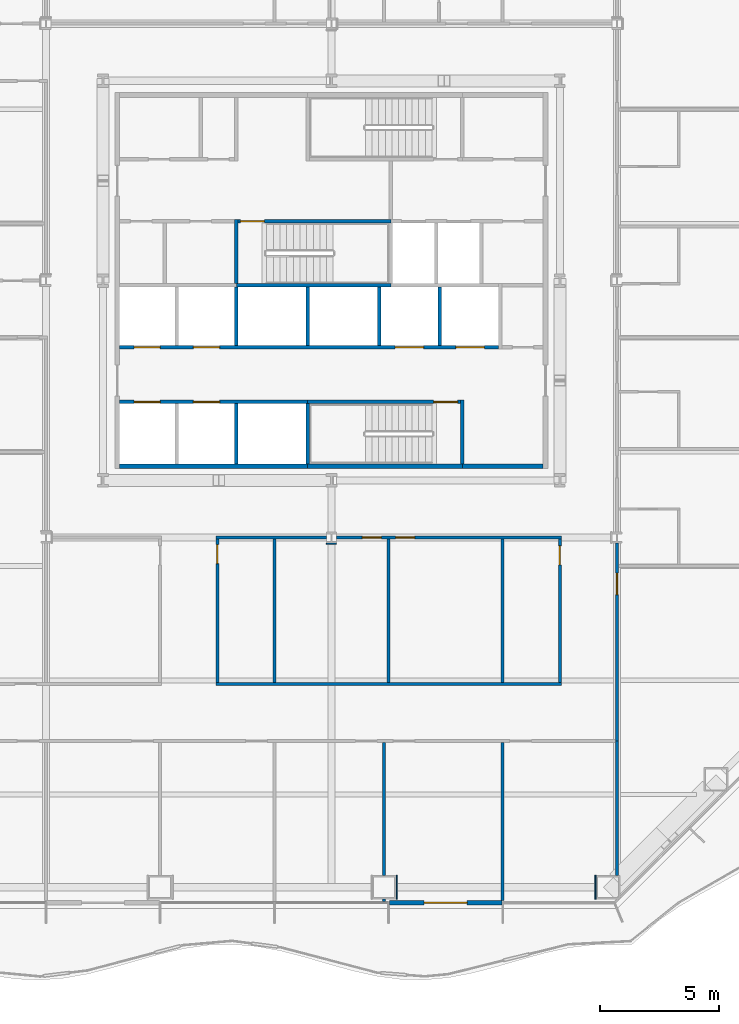
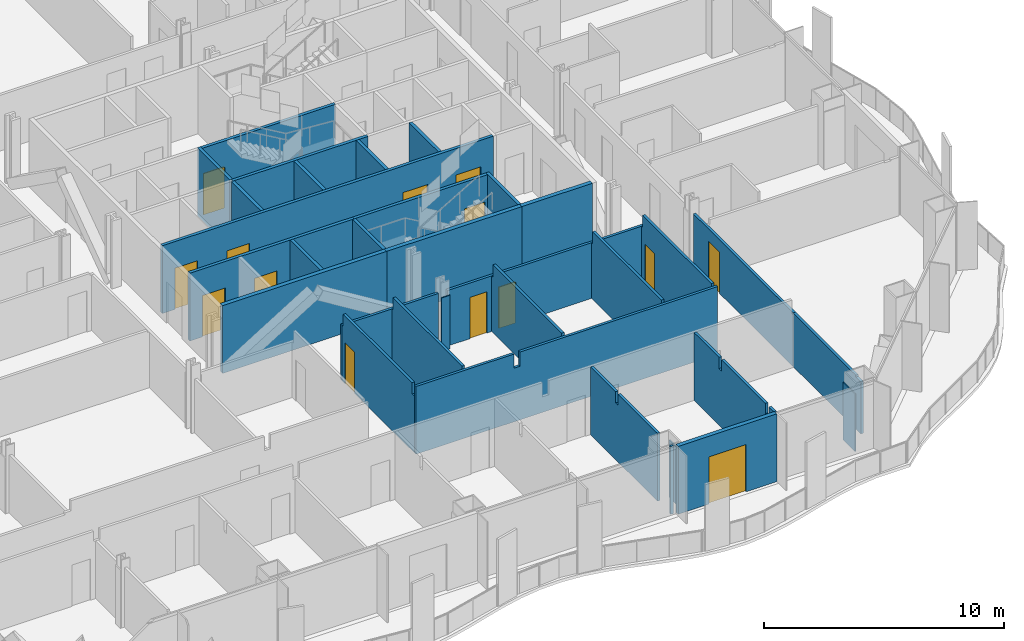
# One storey, part 10 of 21: 33 walls, 14 doors, 14 openings.
"""IFC4 building model written with IfcOpenShell, lengths in metres."""

import ifcopenshell
import ifcopenshell.guid

model = None  # the IFC model being written
_history = None  # IfcOwnerHistory: only IFC2X3 demands one
_inside = {}  # id of a spatial element -> (the spatial element, [elements in it])
_under = {}  # id of a project, library or spatial element -> (it, [spatial elements below it])
_declared = {}  # id of a project -> (the project, [libraries it declares])
_typed = {}  # id of a type object -> (the type object, [elements of that type])
_made_of = {}  # id of a material, layer set ... -> (it, [elements and type objects made of it])


def new_model(schema):
    """Start an empty IFC model of exactly this schema.

    Asked for "IFC4X3", IfcOpenShell would pick the latest addendum, in which some entities
    have other attributes; the version numbers below select the first issue.
    IFC2X3 requires an IfcOwnerHistory on every rooted entity: one is made here for all.
    """
    global model, _history
    if schema == "IFC4X3":
        model = ifcopenshell.file(schema_version=(4, 3, 0, 0))
    else:
        model = ifcopenshell.file(schema=schema)
    _inside.clear()
    _under.clear()
    _declared.clear()
    _typed.clear()
    _made_of.clear()
    _history = None
    if model.schema == "IFC2X3":
        org = make("IfcOrganization", Name="unknown")
        user = make(
            "IfcPersonAndOrganization",
            ThePerson=make("IfcPerson", FamilyName="unknown"),
            TheOrganization=org,
        )
        app = make(
            "IfcApplication",
            ApplicationDeveloper=org,
            Version="unknown",
            ApplicationFullName="unknown",
            ApplicationIdentifier="unknown",
        )
        _history = make(
            "IfcOwnerHistory",
            OwningUser=user,
            OwningApplication=app,
            ChangeAction="ADDED",
            CreationDate=0,
        )
    return model


def make(cls, **values):
    """One entity of the class cls with the attributes given. An attribute that is None is left unset."""
    return model.create_entity(
        cls, **{name: value for name, value in values.items() if value is not None}
    )


def rooted(cls, **values):
    """An entity with a GlobalId (a new one), such as an element, a storey or a relation."""
    return make(cls, GlobalId=ifcopenshell.guid.new(), OwnerHistory=_history, **values)


def si_unit(unit_type, name, prefix=None):
    """IfcSIUnit, for example si_unit("LENGTHUNIT", "METRE", prefix="MILLI")."""
    return make("IfcSIUnit", UnitType=unit_type, Prefix=prefix, Name=name)


def assignment(units):
    """IfcUnitAssignment: the units of a project."""
    return None if units is None else make("IfcUnitAssignment", Units=units)


def point(xyz):
    """IfcCartesianPoint."""
    return None if xyz is None else make("IfcCartesianPoint", Coordinates=xyz)


def direction(xyz):
    """IfcDirection."""
    return None if xyz is None else make("IfcDirection", DirectionRatios=xyz)


def frame(location, z_axis=None, x_axis=None):
    """IfcAxis2Placement3D, a coordinate frame: its origin and axes. An axis left out is left unset."""
    return make(
        "IfcAxis2Placement3D",
        Location=point(location),
        Axis=direction(z_axis),
        RefDirection=direction(x_axis),
    )


def frame_2d(location, x_axis=None):
    """IfcAxis2Placement2D, a coordinate frame in the plane: its origin and x axis."""
    return make(
        "IfcAxis2Placement2D", Location=point(location), RefDirection=direction(x_axis)
    )


def origin():
    """The frame at (0, 0, 0) with its axes left unset."""
    return frame((0.0, 0.0, 0.0))


def place(relative_to, where):
    """IfcLocalPlacement: puts the frame where relative to a parent placement (None: the world)."""
    return make(
        "IfcLocalPlacement", PlacementRelTo=relative_to, RelativePlacement=where
    )


def context(
    kind, dimensions, precision=None, world=None, true_north=None, identifier=None
):
    """IfcGeometricRepresentationContext, for example the 3D "Model" context."""
    return make(
        "IfcGeometricRepresentationContext",
        ContextIdentifier=identifier,
        ContextType=kind,
        CoordinateSpaceDimension=dimensions,
        Precision=precision,
        WorldCoordinateSystem=world,
        TrueNorth=true_north,
    )


def subcontext(parent, identifier, kind, view, scale=None):
    """IfcGeometricRepresentationSubContext, for example "Body" below "Model"."""
    return make(
        "IfcGeometricRepresentationSubContext",
        ContextIdentifier=identifier,
        ContextType=kind,
        ParentContext=parent,
        TargetScale=scale,
        TargetView=view,
    )


def project(units=None, contexts=None):
    """IfcProject with its units and contexts."""
    return rooted(
        "IfcProject",
        Name="project",
        RepresentationContexts=contexts,
        UnitsInContext=assignment(units),
    )


def spatial(cls, under=None, at=None, **own):
    """A site, building, storey or space (cls), placed at a placement, below another one or the project."""
    s = rooted(cls, ObjectPlacement=at, **own)
    if under is not None:
        _under.setdefault(under.id(), (under, []))[1].append(s)
    return s


def polyline(points):
    """IfcPolyline through the points."""
    return make("IfcPolyline", Points=[point(p) for p in points])


def profile(cls, at=None, kind="AREA", **sizes):
    """A parametric profile (cls). Its sizes go by their IFC names, for example OverallWidth=200.0."""
    return make(cls, ProfileType=kind, Position=at, **sizes)


def rectangle(**sizes):
    """IfcRectangleProfileDef."""
    return profile("IfcRectangleProfileDef", **sizes)


def outline(outer, holes=None, kind="AREA"):
    """IfcArbitraryClosedProfileDef: a profile drawn as a closed curve; with holes, ...WithVoids."""
    if holes is None:
        return make("IfcArbitraryClosedProfileDef", ProfileType=kind, OuterCurve=outer)
    return make(
        "IfcArbitraryProfileDefWithVoids",
        ProfileType=kind,
        OuterCurve=outer,
        InnerCurves=holes,
    )


def extrude(swept, where, along, depth):
    """IfcExtrudedAreaSolid: the profile swept, set in the frame where, extruded along a direction by depth."""
    return make(
        "IfcExtrudedAreaSolid",
        SweptArea=swept,
        Position=where,
        ExtrudedDirection=direction(along),
        Depth=depth,
    )


def shape(context_of_items, identifier, shape_type, items):
    """IfcShapeRepresentation: the items that make up one representation, for example the "Body"."""
    return make(
        "IfcShapeRepresentation",
        ContextOfItems=context_of_items,
        RepresentationIdentifier=identifier,
        RepresentationType=shape_type,
        Items=items,
    )


def material(Name=None, Category=None):
    """IfcMaterial."""
    return make("IfcMaterial", Name=Name, Category=Category)


def layer(
    of_material, thickness, ventilated=None, Name=None, Category=None, Priority=None
):
    """IfcMaterialLayer: one layer of a wall or slab, of a material (None: an air gap)."""
    return make(
        "IfcMaterialLayer",
        Material=of_material,
        LayerThickness=thickness,
        IsVentilated=ventilated,
        Name=Name,
        Category=Category,
        Priority=Priority,
    )


def layer_set(layers, Name=None):
    """IfcMaterialLayerSet."""
    return make("IfcMaterialLayerSet", MaterialLayers=layers, LayerSetName=Name)


def made_of(thing, what):
    """Note that an element or type object is made of a material, layer set ...; save() writes the relation."""
    if what is not None:
        _made_of.setdefault(what.id(), (what, []))[1].append(thing)
    return thing


def type_object(cls, material=None, **own):
    """A type object (cls), such as IfcWallType, which elements share."""
    return made_of(rooted(cls, **own), material)


def element(
    cls,
    number,
    at=None,
    inside=None,
    cuts=None,
    type_object=None,
    material=None,
    context=None,
    identifier="Body",
    shape_type=None,
    held_by="IfcProductDefinitionShape",
    body=None,
    shapes=None,
    **own,
):
    """One element of the class cls, such as IfcWall. Its Tag is "e" and its number.

    at: its placement. inside: the storey or other place that contains it. cuts: it is an
    opening in that element (IfcRelVoidsElement). A single representation is given by context,
    identifier, shape_type and body (its items); several are given by shapes. held_by: the class
    of the entity that holds the representations. save() writes the other relations.
    """
    e = rooted(cls, Tag="e%d" % number, ObjectPlacement=at, **own)
    if body is not None:
        shapes = [shape(context, identifier, shape_type, body)]
    if shapes is not None:
        e.Representation = make(held_by, Representations=shapes)
    if inside is not None:
        _inside.setdefault(inside.id(), (inside, []))[1].append(e)
    if cuts is not None:
        rooted(
            "IfcRelVoidsElement", RelatingBuildingElement=cuts, RelatedOpeningElement=e
        )
    if type_object is not None:
        _typed.setdefault(type_object.id(), (type_object, []))[1].append(e)
    return made_of(e, material)


def fill(opening, filler):
    """IfcRelFillsElement: the door or window that sits in an opening."""
    return rooted(
        "IfcRelFillsElement",
        RelatingOpeningElement=opening,
        RelatedBuildingElement=filler,
    )


def aggregate(whole, parts):
    """IfcRelAggregates: a whole, such as a stair, and the parts it consists of."""
    return rooted("IfcRelAggregates", RelatingObject=whole, RelatedObjects=parts)


def save(model, path):
    """Write the relations noted so far, then the file.

    IfcRelAggregates (storeys below a building ...), IfcRelContainedInSpatialStructure (elements
    in a storey), IfcRelDefinesByType, IfcRelAssociatesMaterial and IfcRelDeclares: one each for
    every whole, place, type object, material and project.
    """
    for whole, parts in _under.values():
        aggregate(whole, parts)
    for where, things in _inside.values():
        rooted(
            "IfcRelContainedInSpatialStructure",
            RelatedElements=things,
            RelatingStructure=where,
        )
    for kind, things in _typed.values():
        rooted("IfcRelDefinesByType", RelatedObjects=things, RelatingType=kind)
    for what, things in _made_of.values():
        rooted("IfcRelAssociatesMaterial", RelatedObjects=things, RelatingMaterial=what)
    for by, libraries in _declared.values():
        rooted("IfcRelDeclares", RelatingContext=by, RelatedDefinitions=libraries)
    model.write(path)


model = new_model("IFC4")

# Units and contexts
model_context = context("Model", 3, precision=1e-05, world=origin(), true_north=direction((0.0, 1.0)))
body_context = subcontext(model_context, "Body", "Model", "MODEL_VIEW")
ifc_project = project(units=[si_unit("LENGTHUNIT", "METRE"), si_unit("AREAUNIT", "SQUARE_METRE"), si_unit("VOLUMEUNIT", "CUBIC_METRE"), si_unit("PLANEANGLEUNIT", "RADIAN"), si_unit("MASSUNIT", "GRAM", prefix="KILO")], contexts=[model_context])

# Site, building, storey
site_placement = place(None, origin())
site = spatial("IfcSite", under=ifc_project, at=site_placement, CompositionType="ELEMENT")
building_placement = place(site_placement, origin())
building = spatial("IfcBuilding", under=site, at=building_placement, Name="Cairn Pilgrim Tower", CompositionType="ELEMENT")
storey_placement = place(building_placement, frame((0.0, 0.0, 54.60009765625)))
storey = spatial("IfcBuildingStorey", under=building, at=storey_placement, Name="L11", CompositionType="ELEMENT", Elevation=54.60009765625)

# Wall, opening, door
ifc_material_1 = material(Name="Bronze anodised aluminium insulated sandwich panel with mineral wool fill", Category="aluminium")
ifc_layer_1 = layer(ifc_material_1, 0.199951171875)
ifc_layer_set_1 = layer_set([ifc_layer_1], Name="BRONZE INFILL FRAME WALL 200")
wall_type_1 = type_object("IfcWallType", Name="BRONZE INFILL FRAME WALL 200", PredefinedType="NOTDEFINED", material=ifc_layer_set_1)
wall_1_placement = place(storey_placement, frame((9.6298828125, -23.75, 0.0), z_axis=(0.0, 0.0, 1.0), x_axis=(1.0, 0.0, 0.0)))
wall_1 = element("IfcWall", 1, at=wall_1_placement, inside=storey, type_object=wall_type_1, Name="Bronze infill frame wall IW-S7", PredefinedType="NOTDEFINED", context=body_context, shape_type="SweptSolid", body=[
    extrude(rectangle(XDim=4.740234375, YDim=0.199951171875, at=frame_2d((2.3701171875, 0.0))), origin(), (0.0, 0.0, 1.0), 3.449951171875),
])
opening_1_placement = place(wall_1_placement, frame((1.469970703125, 0.0, 0.0)))
opening_1 = element("IfcOpeningElement", 2, at=opening_1_placement, cuts=wall_1, Name="Opening 1107B", PredefinedType="OPENING", context=body_context, shape_type="SweptSolid", body=[
    extrude(rectangle(XDim=1.800048828125, YDim=2.39990234375, at=frame_2d((0.89990234375, 1.199951171875))), frame((0.0, 0.10986328125, 0.0), z_axis=(0.0, -1.0, 0.0), x_axis=(1.0, 0.0, 0.0)), (0.0, 0.0, 1.0), 0.219970703125),
])
ifc_material_2 = material(Name="Bronze anodised aluminium frame with tinted low-E glass", Category="aluminium")
door_type_1 = type_object("IfcDoorType", Name="BALCONY SLIDING DOOR 1800x2400", OperationType="DOUBLE_DOOR_SLIDING", PredefinedType="DOOR", material=ifc_material_2)
door_1_placement = place(opening_1_placement, origin())
door_1 = element("IfcDoor", 3, at=door_1_placement, inside=storey, type_object=door_type_1, Name="Balcony sliding door 1107B", OperationType="SINGLE_SWING_LEFT", OverallHeight=2.39990234375, OverallWidth=1.800048828125, PredefinedType="DOOR", context=body_context, shape_type="SweptSolid", body=[
    extrude(rectangle(XDim=1.800048828125, YDim=2.39990234375, at=frame_2d((0.89990234375, 1.199951171875))), frame((0.0, 0.02490234375, 0.0), z_axis=(0.0, -1.0, 0.0), x_axis=(1.0, 0.0, 0.0)), (0.0, 0.0, 1.0), 0.050048828125),
])
fill(opening_1, door_1)

# Walls
ifc_material_3 = material(Name="Concrete C32/40", Category="concrete")
ifc_layer_2 = layer(ifc_material_3, 0.199951171875)
ifc_layer_set_2 = layer_set([ifc_layer_2], Name="CORE OUTER WALL 200 EI 120")
wall_type_2 = type_object("IfcWallType", Name="CORE OUTER WALL 200 EI 120", PredefinedType="SOLIDWALL", material=ifc_layer_set_2)
wall_2_placement = place(storey_placement, frame((-1.699951171875, -5.39990234375, 0.0), z_axis=(0.0, 0.0, 1.0), x_axis=(1.0, 0.0, 0.0)))
element("IfcWall", 4, at=wall_2_placement, inside=storey, type_object=wall_type_2, Name="CW:L11:H01-1", PredefinedType="SOLIDWALL", context=body_context, shape_type="SweptSolid", body=[
    extrude(rectangle(XDim=7.89990234375, YDim=0.199951171875, at=frame_2d((3.949951171875, 0.0))), origin(), (0.0, 0.0, 1.0), 3.449951171875),
])
wall_3_placement = place(storey_placement, frame((12.699951171875, -5.39990234375, 0.0), z_axis=(0.0, 0.0, 1.0), x_axis=(1.0, 0.0, 0.0)))
element("IfcWall", 5, at=wall_3_placement, inside=storey, type_object=wall_type_2, Name="CW:L11:H01-3", PredefinedType="SOLIDWALL", context=body_context, shape_type="SweptSolid", body=[
    extrude(rectangle(XDim=3.400146484375, YDim=0.199951171875, at=frame_2d((1.7001953125, 0.0))), origin(), (0.0, 0.0, 1.0), 3.449951171875),
])

# Wall, openings, doors
ifc_layer_3 = layer(ifc_material_3, 0.14990234375)
ifc_layer_set_3 = layer_set([ifc_layer_3], Name="CORE SHAFT WALL 150 EI 120")
wall_type_3 = type_object("IfcWallType", Name="CORE SHAFT WALL 150 EI 120", PredefinedType="SOLIDWALL", material=ifc_layer_set_3)
wall_4_placement = place(storey_placement, frame((-1.699951171875, -2.699951171875, 0.0), z_axis=(0.0, 0.0, 1.0), x_axis=(1.0, 0.0, 0.0)))
wall_4 = element("IfcWall", 6, at=wall_4_placement, inside=storey, type_object=wall_type_3, Name="CW:L11:H02-1", PredefinedType="SOLIDWALL", context=body_context, shape_type="SweptSolid", body=[
    extrude(rectangle(XDim=7.89990234375, YDim=0.14990234375, at=frame_2d((3.949951171875, 0.0))), origin(), (0.0, 0.0, 1.0), 3.449951171875),
])
opening_2_placement = place(wall_4_placement, frame((0.60009765625, 0.0, 0.0)))
opening_2 = element("IfcOpeningElement", 7, at=opening_2_placement, cuts=wall_4, Name="Opening LD-LR1", PredefinedType="OPENING", context=body_context, shape_type="SweptSolid", body=[
    extrude(rectangle(XDim=1.10009765625, YDim=2.10009765625, at=frame_2d((0.550048828125, 1.050048828125))), frame((0.0, 0.0849609375, 0.0), z_axis=(0.0, -1.0, 0.0), x_axis=(1.0, 0.0, 0.0)), (0.0, 0.0, 1.0), 0.169921875),
])
opening_3_placement = place(wall_4_placement, frame((3.10009765625, 0.0, 0.0)))
opening_3 = element("IfcOpeningElement", 8, at=opening_3_placement, cuts=wall_4, Name="Opening LD-LR2", PredefinedType="OPENING", context=body_context, shape_type="SweptSolid", body=[
    extrude(rectangle(XDim=1.10009765625, YDim=2.10009765625, at=frame_2d((0.550048828125, 1.050048828125))), frame((0.0, 0.0849609375, 0.0), z_axis=(0.0, -1.0, 0.0), x_axis=(1.0, 0.0, 0.0)), (0.0, 0.0, 1.0), 0.169921875),
])
ifc_material_4 = material(Name="Stainless steel", Category="steel")
door_type_2 = type_object("IfcDoorType", Name="LIFT LANDING DOOR 1100x2100", OperationType="DOUBLE_DOOR_SLIDING", PredefinedType="DOOR", material=ifc_material_4)
door_2_placement = place(opening_2_placement, origin())
door_2 = element("IfcDoor", 9, at=door_2_placement, inside=storey, type_object=door_type_2, Name="LANDING DOOR LR1", OperationType="DOUBLE_DOOR_SLIDING", OverallHeight=2.10009765625, OverallWidth=1.10009765625, PredefinedType="DOOR", context=body_context, shape_type="SweptSolid", body=[
    extrude(rectangle(XDim=1.10009765625, YDim=2.10009765625, at=frame_2d((0.550048828125, 1.050048828125))), frame((0.0, 0.02490234375, 0.0), z_axis=(0.0, -1.0, 0.0), x_axis=(1.0, 0.0, 0.0)), (0.0, 0.0, 1.0), 0.050048828125),
])
fill(opening_2, door_2)
door_3_placement = place(opening_3_placement, origin())
door_3 = element("IfcDoor", 10, at=door_3_placement, inside=storey, type_object=door_type_2, Name="LANDING DOOR LR2", OperationType="DOUBLE_DOOR_SLIDING", OverallHeight=2.10009765625, OverallWidth=1.10009765625, PredefinedType="DOOR", context=body_context, shape_type="SweptSolid", body=[
    extrude(rectangle(XDim=1.10009765625, YDim=2.10009765625, at=frame_2d((0.550048828125, 1.050048828125))), frame((0.0, 0.02490234375, 0.0), z_axis=(0.0, -1.0, 0.0), x_axis=(1.0, 0.0, 0.0)), (0.0, 0.0, 1.0), 0.050048828125),
])
fill(opening_3, door_3)

wall_5_placement = place(storey_placement, frame((-1.699951171875, -0.39990234375, 0.0), z_axis=(0.0, 0.0, 1.0), x_axis=(1.0, 0.0, 0.0)))
wall_5 = element("IfcWall", 11, at=wall_5_placement, inside=storey, type_object=wall_type_3, Name="CW:L11:H03", PredefinedType="SOLIDWALL", context=body_context, shape_type="SweptSolid", body=[
    extrude(rectangle(XDim=15.925048828125, YDim=0.14990234375, at=frame_2d((7.96240234375, 0.0))), origin(), (0.0, 0.0, 1.0), 3.449951171875),
])
opening_4_placement = place(wall_5_placement, frame((0.60009765625, 0.0, 0.0)))
opening_4 = element("IfcOpeningElement", 12, at=opening_4_placement, cuts=wall_5, Name="Opening LD-LR3", PredefinedType="OPENING", context=body_context, shape_type="SweptSolid", body=[
    extrude(rectangle(XDim=1.10009765625, YDim=2.10009765625, at=frame_2d((0.550048828125, 1.050048828125))), frame((0.0, 0.0849609375, 0.0), z_axis=(0.0, -1.0, 0.0), x_axis=(1.0, 0.0, 0.0)), (0.0, 0.0, 1.0), 0.169921875),
])
opening_5_placement = place(wall_5_placement, frame((3.10009765625, 0.0, 0.0)))
opening_5 = element("IfcOpeningElement", 13, at=opening_5_placement, cuts=wall_5, Name="Opening LD-LR4", PredefinedType="OPENING", context=body_context, shape_type="SweptSolid", body=[
    extrude(rectangle(XDim=1.10009765625, YDim=2.10009765625, at=frame_2d((0.550048828125, 1.050048828125))), frame((0.0, 0.0849609375, 0.0), z_axis=(0.0, -1.0, 0.0), x_axis=(1.0, 0.0, 0.0)), (0.0, 0.0, 1.0), 0.169921875),
])
opening_6_placement = place(wall_5_placement, frame((11.574951171875, 0.0, 0.0)))
opening_6 = element("IfcOpeningElement", 14, at=opening_6_placement, cuts=wall_5, Name="Opening LD-SV1", PredefinedType="OPENING", context=body_context, shape_type="SweptSolid", body=[
    extrude(rectangle(XDim=1.199951171875, YDim=2.10009765625, at=frame_2d((0.60009765625, 1.050048828125))), frame((0.0, 0.0849609375, 0.0), z_axis=(0.0, -1.0, 0.0), x_axis=(1.0, 0.0, 0.0)), (0.0, 0.0, 1.0), 0.169921875),
])
opening_7_placement = place(wall_5_placement, frame((14.125, 0.0, 0.0)))
opening_7 = element("IfcOpeningElement", 15, at=opening_7_placement, cuts=wall_5, Name="Opening LD-SV2", PredefinedType="OPENING", context=body_context, shape_type="SweptSolid", body=[
    extrude(rectangle(XDim=1.199951171875, YDim=2.10009765625, at=frame_2d((0.60009765625, 1.050048828125))), frame((0.0, 0.0849609375, 0.0), z_axis=(0.0, -1.0, 0.0), x_axis=(1.0, 0.0, 0.0)), (0.0, 0.0, 1.0), 0.169921875),
])
door_4_placement = place(opening_4_placement, origin())
door_4 = element("IfcDoor", 16, at=door_4_placement, inside=storey, type_object=door_type_2, Name="LANDING DOOR LR3", OperationType="DOUBLE_DOOR_SLIDING", OverallHeight=2.10009765625, OverallWidth=1.10009765625, PredefinedType="DOOR", context=body_context, shape_type="SweptSolid", body=[
    extrude(rectangle(XDim=1.10009765625, YDim=2.10009765625, at=frame_2d((0.550048828125, 1.050048828125))), frame((0.0, 0.02490234375, 0.0), z_axis=(0.0, -1.0, 0.0), x_axis=(1.0, 0.0, 0.0)), (0.0, 0.0, 1.0), 0.050048828125),
])
fill(opening_4, door_4)
door_5_placement = place(opening_5_placement, origin())
door_5 = element("IfcDoor", 17, at=door_5_placement, inside=storey, type_object=door_type_2, Name="LANDING DOOR LR4", OperationType="DOUBLE_DOOR_SLIDING", OverallHeight=2.10009765625, OverallWidth=1.10009765625, PredefinedType="DOOR", context=body_context, shape_type="SweptSolid", body=[
    extrude(rectangle(XDim=1.10009765625, YDim=2.10009765625, at=frame_2d((0.550048828125, 1.050048828125))), frame((0.0, 0.02490234375, 0.0), z_axis=(0.0, -1.0, 0.0), x_axis=(1.0, 0.0, 0.0)), (0.0, 0.0, 1.0), 0.050048828125),
])
fill(opening_5, door_5)
door_type_3 = type_object("IfcDoorType", Name="LIFT LANDING DOOR 1200x2100", OperationType="DOUBLE_DOOR_SLIDING", PredefinedType="DOOR", material=ifc_material_4)
door_6_placement = place(opening_6_placement, origin())
door_6 = element("IfcDoor", 18, at=door_6_placement, inside=storey, type_object=door_type_3, Name="LANDING DOOR SV1", OperationType="DOUBLE_DOOR_SLIDING", OverallHeight=2.10009765625, OverallWidth=1.199951171875, PredefinedType="DOOR", context=body_context, shape_type="SweptSolid", body=[
    extrude(rectangle(XDim=1.199951171875, YDim=2.10009765625, at=frame_2d((0.60009765625, 1.050048828125))), frame((0.0, 0.02490234375, 0.0), z_axis=(0.0, -1.0, 0.0), x_axis=(1.0, 0.0, 0.0)), (0.0, 0.0, 1.0), 0.050048828125),
])
fill(opening_6, door_6)
door_7_placement = place(opening_7_placement, origin())
door_7 = element("IfcDoor", 19, at=door_7_placement, inside=storey, type_object=door_type_3, Name="LANDING DOOR SV2", OperationType="DOUBLE_DOOR_SLIDING", OverallHeight=2.10009765625, OverallWidth=1.199951171875, PredefinedType="DOOR", context=body_context, shape_type="SweptSolid", body=[
    extrude(rectangle(XDim=1.199951171875, YDim=2.10009765625, at=frame_2d((0.60009765625, 1.050048828125))), frame((0.0, 0.02490234375, 0.0), z_axis=(0.0, -1.0, 0.0), x_axis=(1.0, 0.0, 0.0)), (0.0, 0.0, 1.0), 0.050048828125),
])
fill(opening_7, door_7)

# Walls
wall_6_placement = place(storey_placement, frame((3.199951171875, -5.300048828125, 0.0), z_axis=(0.0, 0.0, 1.0), x_axis=(0.0, 1.0, 0.0)))
element("IfcWall", 20, at=wall_6_placement, inside=storey, type_object=wall_type_3, Name="CW:L11:V17", PredefinedType="SOLIDWALL", context=body_context, shape_type="SweptSolid", body=[
    extrude(rectangle(XDim=2.525146484375, YDim=0.14990234375, at=frame_2d((1.2626953125, 0.0))), origin(), (0.0, 0.0, 1.0), 3.449951171875),
])
for number, where, z_axis, x_axis, name in (
    (21, (3.199951171875, -0.324951171875, 0.0), (0.0, 0.0, 1.0), (0.0, 1.0, 0.0), "CW:L11:V18"),
    (22, (6.199951171875, -0.324951171875, 0.0), (0.0, 0.0, 1.0), (0.0, 1.0, 0.0), "CW:L11:V22"),
    (23, (9.199951171875, -0.324951171875, 0.0), (0.0, 0.0, 1.0), (0.0, 1.0, 0.0), "CW:L11:V24"),
    (24, (11.75, -0.324951171875, 0.0), (0.0, 0.0, 1.0), (0.0, 1.0, 0.0), "CW:L11:V28"),
):
    element("IfcWall", number, at=place(storey_placement, frame(where, z_axis=z_axis, x_axis=x_axis)), inside=storey, type_object=wall_type_3, Name=name, PredefinedType="SOLIDWALL", context=body_context, shape_type="SweptSolid", body=[
        extrude(rectangle(XDim=2.449951171875, YDim=0.14990234375, at=frame_2d((1.22509765625, 0.0))), origin(), (0.0, 0.0, 1.0), 3.449951171875),
    ])
ifc_material_5 = material(Name="Gypsum partition")
ifc_layer_4 = layer(ifc_material_5, 0.125)
ifc_layer_set_4 = layer_set([ifc_layer_4], Name="PARTITION 125 DRYWALL EI 60")
wall_type_4 = type_object("IfcWallType", Name="PARTITION 125 DRYWALL EI 60", PredefinedType="PARTITIONING", material=ifc_layer_set_4)
wall_7_placement = place(storey_placement, frame((9.4140625, -23.702880859375, 0.0), z_axis=(0.0, 0.0, 1.0), x_axis=(0.0, 1.0, 0.0)))
element("IfcWall", 25, at=wall_7_placement, inside=storey, type_object=wall_type_4, Name="PARTITION W005", PredefinedType="PARTITIONING", context=body_context, shape_type="SweptSolid", body=[
    extrude(rectangle(XDim=0.102783203125, YDim=0.125, at=frame_2d((0.05126953125, 0.0))), origin(), (0.0, 0.0, 1.0), 3.449951171875),
])
wall_8_placement = place(storey_placement, frame((14.39990234375, -23.64990234375, 0.0), z_axis=(0.0, 0.0, 1.0), x_axis=(0.0, 1.0, 0.0)))
element("IfcWall", 26, at=wall_8_placement, inside=storey, type_object=wall_type_4, Name="PARTITION W006", PredefinedType="PARTITIONING", context=body_context, shape_type="SweptSolid", body=[
    extrude(outline(polyline([(0.0, 0.0), (6.637451171875, 0.0), (6.637451171875, 3.449951171875), (4.554931640625, 3.449951171875), (4.552978515625, 2.8798828125), (4.344970703125, 2.8798828125), (4.343017578125, 3.449951171875), (0.699951171875, 3.449951171875), (0.697998046875, 2.929931640625), (0.39990234375, 2.929931640625), (0.39794921875, 3.449951171875), (0.0, 3.449951171875), (0.0, 0.0)])), frame((0.0, 0.0625, 0.0), z_axis=(0.0, -1.0, 0.0), x_axis=(1.0, 0.0, 0.0)), (0.0, 0.0, 1.0), 0.125),
])
wall_9_placement = place(storey_placement, frame((9.4140625, -22.60009765625, 0.0), z_axis=(0.0, 0.0, 1.0), x_axis=(0.0, 1.0, 0.0)))
element("IfcWall", 27, at=wall_9_placement, inside=storey, type_object=wall_type_4, Name="PARTITION W009", PredefinedType="PARTITIONING", context=body_context, shape_type="SweptSolid", body=[
    extrude(outline(polyline([(0.0, 0.0), (5.587646484375, 0.0), (5.58740234375, 3.449951171875), (3.5048828125, 3.449951171875), (3.5029296875, 2.8798828125), (3.294921875, 2.8798828125), (3.29296875, 3.449951171875), (0.0, 3.449951171875), (0.0, 0.0)])), frame((0.0, 0.0625, 0.0), z_axis=(0.0, -1.0, 0.0), x_axis=(1.0, 0.0, 0.0)), (0.0, 0.0, 1.0), 0.125),
])
wall_10_placement = place(storey_placement, frame((19.199951171875, -22.60009765625, 0.0), z_axis=(0.0, 0.0, 1.0), x_axis=(0.0, 1.0, 0.0)))
element("IfcWall", 28, at=wall_10_placement, inside=storey, type_object=wall_type_4, Name="PARTITION W010", PredefinedType="PARTITIONING", context=body_context, shape_type="SweptSolid", body=[
    extrude(outline(polyline([(0.0, 0.0), (5.650146484375, 0.0), (5.64990234375, 2.72998046875), (0.430419921875, 2.72998046875), (0.42822265625, 2.6298828125), (0.0, 2.6298828125), (0.0, 0.0)])), frame((0.0, 0.0625, 0.0), z_axis=(0.0, -1.0, 0.0), x_axis=(1.0, 0.0, 0.0)), (0.0, 0.0, 1.0), 0.125),
])

# Wall, opening, door
wall_11_placement = place(storey_placement, frame((19.199951171875, -16.949951171875, 0.0), z_axis=(0.0, 0.0, 1.0), x_axis=(0.0, 1.0, 0.0)))
wall_11 = element("IfcWall", 29, at=wall_11_placement, inside=storey, type_object=wall_type_4, Name="PARTITION W015", PredefinedType="PARTITIONING", context=body_context, shape_type="SweptSolid", body=[
    extrude(rectangle(XDim=8.31298828125, YDim=0.125, at=frame_2d((4.156494140625, 0.0))), origin(), (0.0, 0.0, 1.0), 2.72998046875),
])
opening_8_placement = place(wall_11_placement, frame((6.14990234375, 0.0, 0.0)))
opening_8 = element("IfcOpeningElement", 30, at=opening_8_placement, cuts=wall_11, Name="Opening 1122", PredefinedType="OPENING", context=body_context, shape_type="SweptSolid", body=[
    extrude(rectangle(XDim=0.89990234375, YDim=2.10009765625, at=frame_2d((0.449951171875, 1.050048828125))), frame((0.0, 0.072509765625, 0.0), z_axis=(0.0, -1.0, 0.0), x_axis=(1.0, 0.0, 0.0)), (0.0, 0.0, 1.0), 0.14501953125),
])
ifc_material_6 = material(Name="Steel-faced fire door leaf", Category="steel")
door_type_4 = type_object("IfcDoorType", Name="FIRE DOOR 900x2100 FD30S", OperationType="NOTDEFINED", PredefinedType="DOOR", material=ifc_material_6)
door_8_placement = place(opening_8_placement, frame((0.89990234375, 0.0, 0.0), z_axis=(0.0, 0.0, 1.0), x_axis=(-1.0, 0.0, 0.0)))
door_8 = element("IfcDoor", 31, at=door_8_placement, inside=storey, type_object=door_type_4, Name="DOOR 1122", OperationType="SINGLE_SWING_LEFT", OverallHeight=2.10009765625, OverallWidth=0.89990234375, PredefinedType="DOOR", context=body_context, shape_type="SweptSolid", body=[
    extrude(rectangle(XDim=0.89990234375, YDim=2.10009765625, at=frame_2d((0.449951171875, 1.050048828125))), frame((0.0, 0.02490234375, 0.0), z_axis=(0.0, -1.0, 0.0), x_axis=(1.0, 0.0, 0.0)), (0.0, 0.0, 1.0), 0.050048828125),
])
fill(opening_8, door_8)

# Wall
wall_12_placement = place(storey_placement, frame((2.33740234375, -14.550048828125, 0.0), z_axis=(0.0, 0.0, 1.0), x_axis=(1.0, 0.0, 0.0)))
element("IfcWall", 32, at=wall_12_placement, inside=storey, type_object=wall_type_4, Name="PARTITION W017", PredefinedType="PARTITIONING", context=body_context, shape_type="SweptSolid", body=[
    extrude(outline(polyline([(0.0, 0.0), (14.525146484375, 0.0), (14.52490234375, 3.449951171875), (5.012451171875, 3.449951171875), (5.010498046875, 2.72998046875), (4.71240234375, 2.72998046875), (4.71044921875, 3.449951171875), (0.0, 3.449951171875), (0.0, 0.0)])), frame((0.0, 0.0625, 0.0), z_axis=(0.0, -1.0, 0.0), x_axis=(1.0, 0.0, 0.0)), (0.0, 0.0, 1.0), 0.125),
])

# Wall, opening, door
wall_13_placement = place(storey_placement, frame((2.39990234375, -14.487548828125, 0.0), z_axis=(0.0, 0.0, 1.0), x_axis=(0.0, 1.0, 0.0)))
wall_13 = element("IfcWall", 33, at=wall_13_placement, inside=storey, type_object=wall_type_4, Name="PARTITION W022", PredefinedType="PARTITIONING", context=body_context, shape_type="SweptSolid", body=[
    extrude(outline(polyline([(0.0, 0.0), (6.025146484375, 0.0), (6.02490234375, 2.829833984375), (5.9375, 2.829833984375), (5.935546875, 3.449951171875), (0.1923828125, 3.449951171875), (0.1904296875, 2.8798828125), (0.0, 2.8798828125), (0.0, 0.0)])), frame((0.0, 0.0625, 0.0), z_axis=(0.0, -1.0, 0.0), x_axis=(1.0, 0.0, 0.0)), (0.0, 0.0, 1.0), 0.125),
])
opening_9_placement = place(wall_13_placement, frame((4.987548828125, 0.0, 0.0)))
opening_9 = element("IfcOpeningElement", 34, at=opening_9_placement, cuts=wall_13, Name="Opening 1135", PredefinedType="OPENING", context=body_context, shape_type="SweptSolid", body=[
    extrude(rectangle(XDim=0.800048828125, YDim=2.10009765625, at=frame_2d((0.39990234375, 1.050048828125))), frame((0.0, 0.072509765625, 0.0), z_axis=(0.0, -1.0, 0.0), x_axis=(1.0, 0.0, 0.0)), (0.0, 0.0, 1.0), 0.14501953125),
])
door_type_5 = type_object("IfcDoorType", Name="FIRE DOOR 800x2100 FD30S", OperationType="NOTDEFINED", PredefinedType="DOOR", material=ifc_material_6)
door_9_placement = place(opening_9_placement, frame((0.800048828125, 0.0, 0.0), z_axis=(0.0, 0.0, 1.0), x_axis=(-1.0, 0.0, 0.0)))
door_9 = element("IfcDoor", 35, at=door_9_placement, inside=storey, type_object=door_type_5, Name="DOOR 1135", OperationType="SINGLE_SWING_RIGHT", OverallHeight=2.10009765625, OverallWidth=0.800048828125, PredefinedType="DOOR", context=body_context, shape_type="SweptSolid", body=[
    extrude(rectangle(XDim=0.800048828125, YDim=2.10009765625, at=frame_2d((0.39990234375, 1.050048828125))), frame((0.0, 0.02490234375, 0.0), z_axis=(0.0, -1.0, 0.0), x_axis=(1.0, 0.0, 0.0)), (0.0, 0.0, 1.0), 0.050048828125),
])
fill(opening_9, door_9)

# Walls
for number, where, z_axis, x_axis, name in (
    (36, (4.800048828125, -14.487548828125, 0.0), (0.0, 0.0, 1.0), (0.0, 1.0, 0.0), "PARTITION W023"),
    (37, (9.60009765625, -14.487548828125, 0.0), (0.0, 0.0, 1.0), (0.0, 1.0, 0.0), "PARTITION W024"),
    (38, (14.39990234375, -14.487548828125, 0.0), (0.0, 0.0, 1.0), (0.0, 1.0, 0.0), "PARTITION W025"),
):
    element("IfcWall", number, at=place(storey_placement, frame(where, z_axis=z_axis, x_axis=x_axis)), inside=storey, type_object=wall_type_4, Name=name, PredefinedType="PARTITIONING", context=body_context, shape_type="SweptSolid", body=[
        extrude(outline(polyline([(0.0, 0.0), (6.025146484375, 0.0), (6.02490234375, 2.829833984375), (5.9375, 2.829833984375), (5.935546875, 3.449951171875), (0.1923828125, 3.449951171875), (0.1904296875, 2.8798828125), (0.0, 2.8798828125), (0.0, 0.0)])), frame((0.0, 0.0625, 0.0), z_axis=(0.0, -1.0, 0.0), x_axis=(1.0, 0.0, 0.0)), (0.0, 0.0, 1.0), 0.125),
    ])

# Wall, opening, door
wall_14_placement = place(storey_placement, frame((16.800048828125, -14.487548828125, 0.0), z_axis=(0.0, 0.0, 1.0), x_axis=(0.0, 1.0, 0.0)))
wall_14 = element("IfcWall", 39, at=wall_14_placement, inside=storey, type_object=wall_type_4, Name="PARTITION W026", PredefinedType="PARTITIONING", context=body_context, shape_type="SweptSolid", body=[
    extrude(outline(polyline([(0.0, 0.0), (6.025146484375, 0.0), (6.02490234375, 2.829833984375), (5.9375, 2.829833984375), (5.935546875, 3.449951171875), (0.1923828125, 3.449951171875), (0.1904296875, 2.8798828125), (0.0, 2.8798828125), (0.0, 0.0)])), frame((0.0, 0.0625, 0.0), z_axis=(0.0, -1.0, 0.0), x_axis=(1.0, 0.0, 0.0)), (0.0, 0.0, 1.0), 0.125),
])
opening_10_placement = place(wall_14_placement, frame((4.9375, 0.0, 0.0)))
opening_10 = element("IfcOpeningElement", 40, at=opening_10_placement, cuts=wall_14, Name="Opening 1138", PredefinedType="OPENING", context=body_context, shape_type="SweptSolid", body=[
    extrude(rectangle(XDim=0.800048828125, YDim=2.10009765625, at=frame_2d((0.39990234375, 1.050048828125))), frame((0.0, 0.072509765625, 0.0), z_axis=(0.0, -1.0, 0.0), x_axis=(1.0, 0.0, 0.0)), (0.0, 0.0, 1.0), 0.14501953125),
])
door_10_placement = place(opening_10_placement, origin())
door_10 = element("IfcDoor", 41, at=door_10_placement, inside=storey, type_object=door_type_5, Name="DOOR 1138", OperationType="SINGLE_SWING_LEFT", OverallHeight=2.10009765625, OverallWidth=0.800048828125, PredefinedType="DOOR", context=body_context, shape_type="SweptSolid", body=[
    extrude(rectangle(XDim=0.800048828125, YDim=2.10009765625, at=frame_2d((0.39990234375, 1.050048828125))), frame((0.0, 0.02490234375, 0.0), z_axis=(0.0, -1.0, 0.0), x_axis=(1.0, 0.0, 0.0)), (0.0, 0.0, 1.0), 0.050048828125),
])
fill(opening_10, door_10)

# Wall
wall_15_placement = place(storey_placement, frame((2.33740234375, -8.39990234375, 0.0), z_axis=(0.0, 0.0, 1.0), x_axis=(1.0, 0.0, 0.0)))
element("IfcWall", 42, at=wall_15_placement, inside=storey, type_object=wall_type_4, Name="PARTITION W032", PredefinedType="PARTITIONING", context=body_context, shape_type="SweptSolid", body=[
    extrude(rectangle(XDim=4.650634765625, YDim=0.125, at=frame_2d((2.3251953125, 0.0))), origin(), (0.0, 0.0, 1.0), 2.829833984375),
])

# Wall, openings, doors
wall_16_placement = place(storey_placement, frame((7.412109375, -8.39990234375, 0.0), z_axis=(0.0, 0.0, 1.0), x_axis=(1.0, 0.0, 0.0)))
wall_16 = element("IfcWall", 43, at=wall_16_placement, inside=storey, type_object=wall_type_4, Name="PARTITION W033", PredefinedType="PARTITIONING", context=body_context, shape_type="SweptSolid", body=[
    extrude(rectangle(XDim=9.450439453125, YDim=0.125, at=frame_2d((4.72509765625, 0.0))), origin(), (0.0, 0.0, 1.0), 2.829833984375),
])
opening_11_placement = place(wall_16_placement, frame((1.087890625, 0.0, 0.0)))
opening_11 = element("IfcOpeningElement", 44, at=opening_11_placement, cuts=wall_16, Name="Opening 1136", PredefinedType="OPENING", context=body_context, shape_type="SweptSolid", body=[
    extrude(rectangle(XDim=0.800048828125, YDim=2.10009765625, at=frame_2d((0.39990234375, 1.050048828125))), frame((0.0, 0.072509765625, 0.0), z_axis=(0.0, -1.0, 0.0), x_axis=(1.0, 0.0, 0.0)), (0.0, 0.0, 1.0), 0.14501953125),
])
opening_12_placement = place(wall_16_placement, frame((2.488037109375, 0.0, 0.0)))
opening_12 = element("IfcOpeningElement", 45, at=opening_12_placement, cuts=wall_16, Name="Opening 1137", PredefinedType="OPENING", context=body_context, shape_type="SweptSolid", body=[
    extrude(rectangle(XDim=0.800048828125, YDim=2.10009765625, at=frame_2d((0.39990234375, 1.050048828125))), frame((0.0, 0.072509765625, 0.0), z_axis=(0.0, -1.0, 0.0), x_axis=(1.0, 0.0, 0.0)), (0.0, 0.0, 1.0), 0.14501953125),
])
door_11_placement = place(opening_11_placement, frame((0.800048828125, 0.0, 0.0), z_axis=(0.0, 0.0, 1.0), x_axis=(-1.0, 0.0, 0.0)))
door_11 = element("IfcDoor", 46, at=door_11_placement, inside=storey, type_object=door_type_5, Name="DOOR 1136", OperationType="SINGLE_SWING_LEFT", OverallHeight=2.10009765625, OverallWidth=0.800048828125, PredefinedType="DOOR", context=body_context, shape_type="SweptSolid", body=[
    extrude(rectangle(XDim=0.800048828125, YDim=2.10009765625, at=frame_2d((0.39990234375, 1.050048828125))), frame((0.0, 0.02490234375, 0.0), z_axis=(0.0, -1.0, 0.0), x_axis=(1.0, 0.0, 0.0)), (0.0, 0.0, 1.0), 0.050048828125),
])
fill(opening_11, door_11)
door_12_placement = place(opening_12_placement, frame((0.800048828125, 0.0, 0.0), z_axis=(0.0, 0.0, 1.0), x_axis=(-1.0, 0.0, 0.0)))
door_12 = element("IfcDoor", 47, at=door_12_placement, inside=storey, type_object=door_type_5, Name="DOOR 1137", OperationType="SINGLE_SWING_RIGHT", OverallHeight=2.10009765625, OverallWidth=0.800048828125, PredefinedType="DOOR", context=body_context, shape_type="SweptSolid", body=[
    extrude(rectangle(XDim=0.800048828125, YDim=2.10009765625, at=frame_2d((0.39990234375, 1.050048828125))), frame((0.0, 0.02490234375, 0.0), z_axis=(0.0, -1.0, 0.0), x_axis=(1.0, 0.0, 0.0)), (0.0, 0.0, 1.0), 0.050048828125),
])
fill(opening_12, door_12)

# Walls
ifc_layer_5 = layer(ifc_material_5, 0.050048828125)
ifc_layer_set_5 = layer_set([ifc_layer_5], Name="PARTITION 50 DRYWALL EI 60")
wall_type_5 = type_object("IfcWallType", Name="PARTITION 50 DRYWALL EI 60", PredefinedType="PARTITIONING", material=ifc_layer_set_5)
for number, where, z_axis, x_axis, name in (
    (48, (9.938720703125, -23.60009765625, 0.0), (0.0, 0.0, 1.0), (0.0, 1.0, 0.0), "COLUMN CASING WC07"),
    (49, (18.30224609375, -23.60009765625, 0.0), (0.0, 0.0, 1.0), (0.0, 1.0, 0.0), "COLUMN CASING WC08"),
):
    element("IfcWall", number, at=place(storey_placement, frame(where, z_axis=z_axis, x_axis=x_axis)), inside=storey, type_object=wall_type_5, Name=name, PredefinedType="PARTITIONING", context=body_context, shape_type="SweptSolid", body=[
        extrude(rectangle(XDim=1.0, YDim=0.050048828125, at=frame_2d((0.5, 0.0))), origin(), (0.0, 0.0, 1.0), 2.929931640625),
    ])
wall_17_placement = place(storey_placement, frame((6.988037109375, -8.662109375, 0.0), z_axis=(0.0, 0.0, 1.0), x_axis=(1.0, 0.0, 0.0)))
element("IfcWall", 50, at=wall_17_placement, inside=storey, type_object=wall_type_5, Name="COLUMN CASING WC16", PredefinedType="PARTITIONING", context=body_context, shape_type="SweptSolid", body=[
    extrude(rectangle(XDim=0.424072265625, YDim=0.050048828125, at=frame_2d((0.2119140625, 0.0))), origin(), (0.0, 0.0, 1.0), 2.72998046875),
])

# Wall, opening, door
ifc_material_7 = material(Name="Concrete C35/45", Category="concrete")
ifc_layer_6 = layer(ifc_material_7, 0.14990234375)
ifc_layer_set_6 = layer_set([ifc_layer_6], Name="STAIR SHAFT WALL 150 EI 120")
wall_type_6 = type_object("IfcWallType", Name="STAIR SHAFT WALL 150 EI 120", PredefinedType="SOLIDWALL", material=ifc_layer_set_6)
wall_18_placement = place(storey_placement, frame((6.199951171875, -2.699951171875, 0.0), z_axis=(0.0, 0.0, 1.0), x_axis=(1.0, 0.0, 0.0)))
wall_18 = element("IfcWall", 51, at=wall_18_placement, inside=storey, type_object=wall_type_6, Name="CW:L11:H02-2", PredefinedType="SOLIDWALL", context=body_context, shape_type="SweptSolid", body=[
    extrude(rectangle(XDim=6.425048828125, YDim=0.14990234375, at=frame_2d((3.21240234375, 0.0))), origin(), (0.0, 0.0, 1.0), 3.449951171875),
])
opening_13_placement = place(wall_18_placement, frame((5.300048828125, 0.0, 0.0)))
opening_13 = element("IfcOpeningElement", 52, at=opening_13_placement, cuts=wall_18, Name="Opening SD-A", PredefinedType="OPENING", context=body_context, shape_type="SweptSolid", body=[
    extrude(rectangle(XDim=1.0, YDim=2.10009765625, at=frame_2d((0.5, 1.050048828125))), frame((0.0, 0.0849609375, 0.0), z_axis=(0.0, -1.0, 0.0), x_axis=(1.0, 0.0, 0.0)), (0.0, 0.0, 1.0), 0.169921875),
])
ifc_material_8 = material(Name="Painted steel", Category="steel")
door_type_6 = type_object("IfcDoorType", Name="STAIR DOOR FD60S 1000x2100", OperationType="SINGLE_SWING_LEFT", PredefinedType="DOOR", material=ifc_material_8)
door_13_placement = place(opening_13_placement, origin())
door_13 = element("IfcDoor", 53, at=door_13_placement, inside=storey, type_object=door_type_6, Name="SD-A", OperationType="SINGLE_SWING_LEFT", OverallHeight=2.10009765625, OverallWidth=1.0, PredefinedType="DOOR", context=body_context, shape_type="SweptSolid", body=[
    extrude(rectangle(XDim=1.0, YDim=2.10009765625, at=frame_2d((0.5, 1.050048828125))), frame((0.0, 0.02490234375, 0.0), z_axis=(0.0, -1.0, 0.0), x_axis=(1.0, 0.0, 0.0)), (0.0, 0.0, 1.0), 0.050048828125),
])
fill(opening_13, door_13)

# Wall
wall_19_placement = place(storey_placement, frame((3.199951171875, 2.199951171875, 0.0), z_axis=(0.0, 0.0, 1.0), x_axis=(1.0, 0.0, 0.0)))
element("IfcWall", 54, at=wall_19_placement, inside=storey, type_object=wall_type_6, Name="CW:L11:H05-2", PredefinedType="SOLIDWALL", context=body_context, shape_type="SweptSolid", body=[
    extrude(rectangle(XDim=6.5, YDim=0.14990234375, at=frame_2d((3.25, 0.0))), origin(), (0.0, 0.0, 1.0), 3.449951171875),
])

# Wall, opening, door
wall_20_placement = place(storey_placement, frame((3.27490234375, 4.89990234375, 0.0), z_axis=(0.0, 0.0, 1.0), x_axis=(1.0, 0.0, 0.0)))
wall_20 = element("IfcWall", 55, at=wall_20_placement, inside=storey, type_object=wall_type_6, Name="CW:L11:H08-1", PredefinedType="SOLIDWALL", context=body_context, shape_type="SweptSolid", body=[
    extrude(rectangle(XDim=6.425048828125, YDim=0.14990234375, at=frame_2d((3.21240234375, 0.0))), origin(), (0.0, 0.0, 1.0), 3.449951171875),
])
opening_14_placement = place(wall_20_placement, frame((0.10009765625, 0.0, 0.0)))
opening_14 = element("IfcOpeningElement", 56, at=opening_14_placement, cuts=wall_20, Name="Opening SD-B", PredefinedType="OPENING", context=body_context, shape_type="SweptSolid", body=[
    extrude(rectangle(XDim=1.0, YDim=2.10009765625, at=frame_2d((0.5, 1.050048828125))), frame((0.0, 0.0849609375, 0.0), z_axis=(0.0, -1.0, 0.0), x_axis=(1.0, 0.0, 0.0)), (0.0, 0.0, 1.0), 0.169921875),
])
door_14_placement = place(opening_14_placement, origin())
door_14 = element("IfcDoor", 57, at=door_14_placement, inside=storey, type_object=door_type_6, Name="SD-B", OperationType="SINGLE_SWING_RIGHT", OverallHeight=2.10009765625, OverallWidth=1.0, PredefinedType="DOOR", context=body_context, shape_type="SweptSolid", body=[
    extrude(rectangle(XDim=1.0, YDim=2.10009765625, at=frame_2d((0.5, 1.050048828125))), frame((0.0, 0.02490234375, 0.0), z_axis=(0.0, -1.0, 0.0), x_axis=(1.0, 0.0, 0.0)), (0.0, 0.0, 1.0), 0.050048828125),
])
fill(opening_14, door_14)

# Walls
wall_21_placement = place(storey_placement, frame((3.199951171875, 2.27490234375, 0.0), z_axis=(0.0, 0.0, 1.0), x_axis=(0.0, 1.0, 0.0)))
element("IfcWall", 58, at=wall_21_placement, inside=storey, type_object=wall_type_6, Name="CW:L11:V19", PredefinedType="SOLIDWALL", context=body_context, shape_type="SweptSolid", body=[
    extrude(rectangle(XDim=2.7001953125, YDim=0.14990234375, at=frame_2d((1.35009765625, 0.0))), origin(), (0.0, 0.0, 1.0), 3.449951171875),
])
wall_22_placement = place(storey_placement, frame((6.199951171875, -5.300048828125, 0.0), z_axis=(0.0, 0.0, 1.0), x_axis=(0.0, 1.0, 0.0)))
element("IfcWall", 59, at=wall_22_placement, inside=storey, type_object=wall_type_6, Name="CW:L11:V21", PredefinedType="SOLIDWALL", context=body_context, shape_type="SweptSolid", body=[
    extrude(rectangle(XDim=2.525146484375, YDim=0.14990234375, at=frame_2d((1.2626953125, 0.0))), origin(), (0.0, 0.0, 1.0), 3.449951171875),
])
wall_23_placement = place(storey_placement, frame((12.699951171875, -5.300048828125, 0.0), z_axis=(0.0, 0.0, 1.0), x_axis=(0.0, 1.0, 0.0)))
element("IfcWall", 60, at=wall_23_placement, inside=storey, type_object=wall_type_6, Name="CW:L11:V29", PredefinedType="SOLIDWALL", context=body_context, shape_type="SweptSolid", body=[
    extrude(rectangle(XDim=2.675048828125, YDim=0.14990234375, at=frame_2d((1.33740234375, 0.0))), origin(), (0.0, 0.0, 1.0), 3.449951171875),
])
ifc_layer_7 = layer(ifc_material_7, 0.199951171875)
ifc_layer_set_7 = layer_set([ifc_layer_7], Name="STAIR SHAFT WALL 200 EI 120")
wall_type_7 = type_object("IfcWallType", Name="STAIR SHAFT WALL 200 EI 120", PredefinedType="SOLIDWALL", material=ifc_layer_set_7)
wall_24_placement = place(storey_placement, frame((6.199951171875, -5.39990234375, 0.0), z_axis=(0.0, 0.0, 1.0), x_axis=(1.0, 0.0, 0.0)))
element("IfcWall", 61, at=wall_24_placement, inside=storey, type_object=wall_type_7, Name="CW:L11:H01-2", PredefinedType="SOLIDWALL", context=body_context, shape_type="SweptSolid", body=[
    extrude(rectangle(XDim=6.5, YDim=0.199951171875, at=frame_2d((3.25, 0.0))), origin(), (0.0, 0.0, 1.0), 3.449951171875),
])

save(model, "model.ifc")
